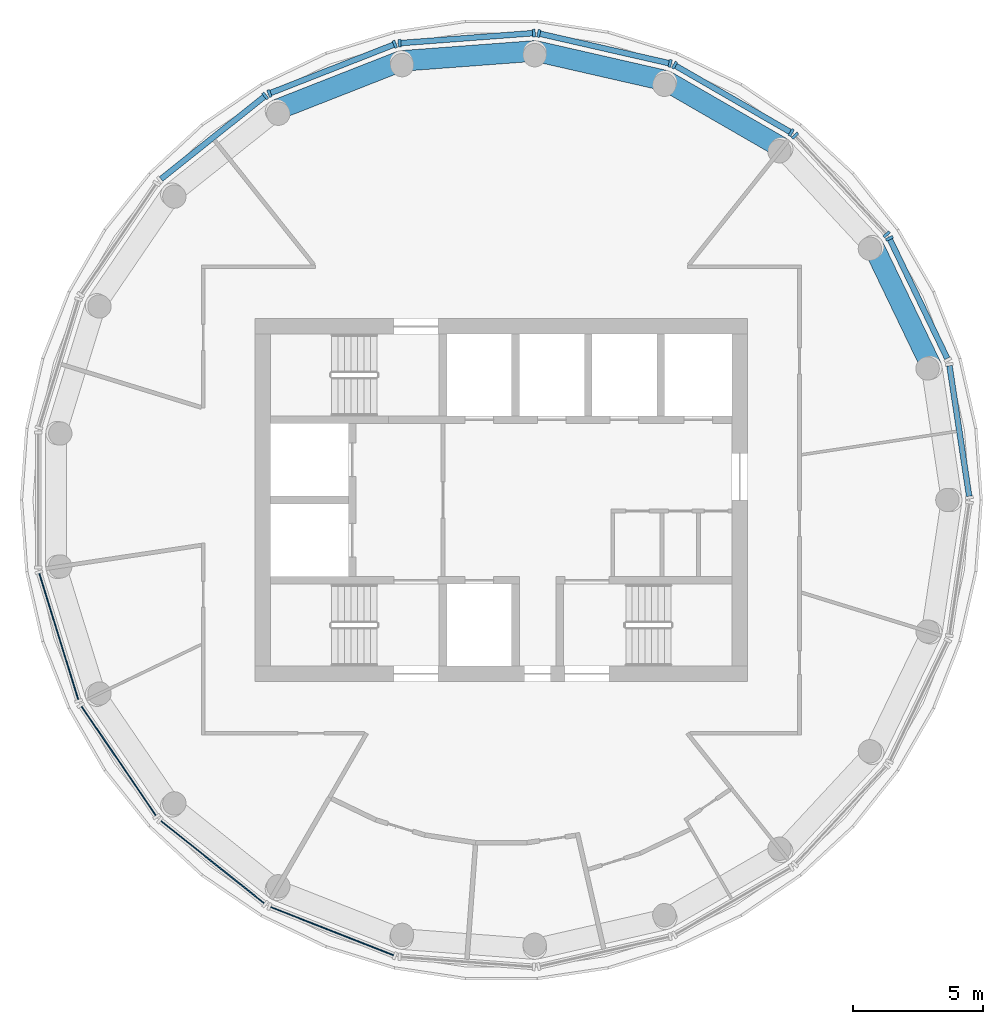
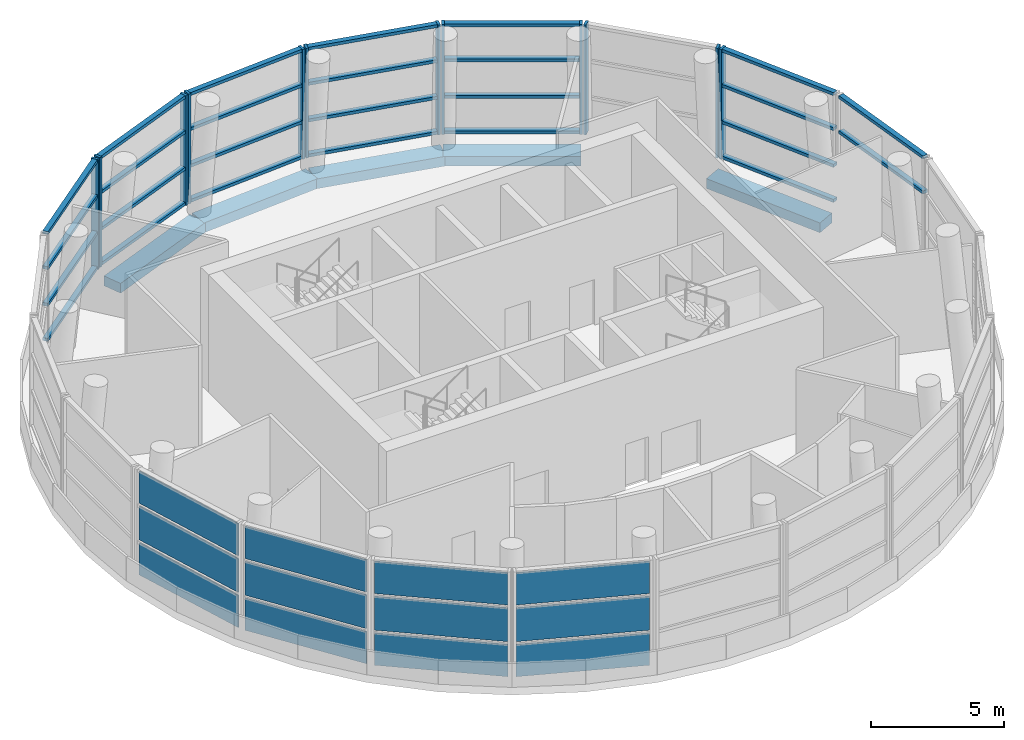
# One storey, part 3 of 11: 38 members, 12 plates, 5 beams, 12 elements without a shape of their own.
"""IFC4 building model written with IfcOpenShell, lengths in metres."""

from ifc_helpers import new_model, si_unit, direction, frame, origin, origin_2d, place, context, subcontext, project, spatial, rectangle, extrude, material, layer, layer_set, material_profile, profile_set, type_object, element, aggregate, save


model = new_model("IFC4")

# Units and contexts
model_context = context("Model", 3, precision=1e-05, world=origin(), true_north=direction((0.0, 1.0)))
body_context = subcontext(model_context, "Body", "Model", "MODEL_VIEW")
ifc_project = project(units=[si_unit("LENGTHUNIT", "METRE"), si_unit("AREAUNIT", "SQUARE_METRE"), si_unit("VOLUMEUNIT", "CUBIC_METRE"), si_unit("PLANEANGLEUNIT", "RADIAN"), si_unit("MASSUNIT", "GRAM", prefix="KILO")], contexts=[model_context])

# Site, building, storey
site_placement = place(None, origin())
site = spatial("IfcSite", under=ifc_project, at=site_placement, CompositionType="ELEMENT")
building_placement = place(site_placement, origin())
building = spatial("IfcBuilding", under=site, at=building_placement, Name="Tracery Tower", CompositionType="ELEMENT")
storey_placement = place(building_placement, frame((0.0, 0.0, 346.800048828125)))
storey = spatial("IfcBuildingStorey", under=building, at=storey_placement, Name="L89", CompositionType="ELEMENT", Elevation=346.800048828125)

# Curtain wall, member
ifc_material_1 = material(Name="Aluminium curtain wall with tinted glass", Category="aluminium")
curtain_wall_type = type_object("IfcCurtainWallType", Name="Observation lower deck glazing curtain wall", PredefinedType="NOTDEFINED", material=ifc_material_1)
curtain_wall_1_placement = place(storey_placement, origin())
curtain_wall_1 = element("IfcCurtainWall", 1, at=curtain_wall_1_placement, inside=storey, type_object=curtain_wall_type, Name="Observation lower deck glazing run 01", PredefinedType="NOTDEFINED")
ifc_material_2 = material(Name="Aluminium, bronze anodised", Category="aluminium")
ifc_material_profile_1 = material_profile(ifc_material_2, rectangle(XDim=0.300048828125, YDim=0.110107421875, at=origin_2d()), Name="Observation lower deck glazing mullion 110 x 300")
ifc_profile_set_1 = profile_set([ifc_material_profile_1], Name="Aluminium, bronze anodised")
member_type_1 = type_object("IfcMemberType", Name="Observation lower deck glazing mullion 110 x 300", PredefinedType="MULLION", material=ifc_profile_set_1)
member_1_placement = place(storey_placement, frame((14.97314453125, 10.0947265625, 0.0), z_axis=(0.0, 0.0, 1.0), x_axis=(-0.900972480134, -0.433876238161, 0.0)))
member_1 = element("IfcMember", 2, at=member_1_placement, type_object=member_type_1, Name="CWB4 mullion 2", PredefinedType="MULLION", context=body_context, shape_type="SweptSolid", body=[
    extrude(rectangle(XDim=0.300048828125, YDim=0.110107421875, at=origin_2d()), origin(), (0.0, 0.0, 1.0), 5.050048828125),
])

# Curtain wall, members
curtain_wall_2_placement = place(storey_placement, origin())
curtain_wall_2 = element("IfcCurtainWall", 3, at=curtain_wall_2_placement, inside=storey, type_object=curtain_wall_type, Name="Observation lower deck glazing run 02", PredefinedType="NOTDEFINED")
member_2_placement = place(storey_placement, frame((14.8671875, 10.25, 0.0), z_axis=(0.0, 0.0, 1.0), x_axis=(-0.733049136784, -0.680175685438, 0.0)))
member_2 = element("IfcMember", 4, at=member_2_placement, type_object=member_type_1, Name="CWB4 mullion 1", PredefinedType="MULLION", context=body_context, shape_type="SweptSolid", body=[
    extrude(rectangle(XDim=0.300048828125, YDim=0.110107421875, at=origin_2d()), origin(), (0.0, 0.0, 1.0), 5.050048828125),
])
member_3_placement = place(storey_placement, frame((11.33251953125, 14.059814453125, 0.0), z_axis=(0.0, 0.0, 1.0), x_axis=(-0.733049136784, -0.680175685438, 0.0)))
member_3 = element("IfcMember", 5, at=member_3_placement, type_object=member_type_1, Name="CWB4 mullion 2", PredefinedType="MULLION", context=body_context, shape_type="SweptSolid", body=[
    extrude(rectangle(XDim=0.300048828125, YDim=0.110107421875, at=origin_2d()), origin(), (0.0, 0.0, 1.0), 5.050048828125),
])
aggregate(curtain_wall_2, [member_2, member_3])

curtain_wall_3_placement = place(storey_placement, origin())
curtain_wall_3 = element("IfcCurtainWall", 6, at=curtain_wall_3_placement, inside=storey, type_object=curtain_wall_type, Name="Observation lower deck glazing run 03", PredefinedType="NOTDEFINED")
member_4_placement = place(storey_placement, frame((11.185546875, 14.177001953125, 0.0), z_axis=(0.0, 0.0, 1.0), x_axis=(-0.49999974037, -0.866025553682, 0.0)))
member_4 = element("IfcMember", 7, at=member_4_placement, type_object=member_type_1, Name="CWB4 mullion 1", PredefinedType="MULLION", context=body_context, shape_type="SweptSolid", body=[
    extrude(rectangle(XDim=0.300048828125, YDim=0.110107421875, at=origin_2d()), origin(), (0.0, 0.0, 1.0), 5.050048828125),
])
member_5_placement = place(storey_placement, frame((6.684814453125, 16.775390625, 0.0), z_axis=(0.0, 0.0, 1.0), x_axis=(-0.49999974037, -0.866025553682, 0.0)))
member_5 = element("IfcMember", 8, at=member_5_placement, type_object=member_type_1, Name="CWB4 mullion 2", PredefinedType="MULLION", context=body_context, shape_type="SweptSolid", body=[
    extrude(rectangle(XDim=0.300048828125, YDim=0.110107421875, at=origin_2d()), origin(), (0.0, 0.0, 1.0), 5.050048828125),
])

curtain_wall_4_placement = place(storey_placement, origin())
curtain_wall_4 = element("IfcCurtainWall", 9, at=curtain_wall_4_placement, inside=storey, type_object=curtain_wall_type, Name="Observation lower deck glazing run 04", PredefinedType="NOTDEFINED")
member_6_placement = place(storey_placement, frame((6.509765625, 16.843994140625, 0.0), z_axis=(0.0, 0.0, 1.0), x_axis=(-0.222533159769, -0.974925121639, 0.0)))
member_6 = element("IfcMember", 10, at=member_6_placement, type_object=member_type_1, Name="CWB4 mullion 1", PredefinedType="MULLION", context=body_context, shape_type="SweptSolid", body=[
    extrude(rectangle(XDim=0.300048828125, YDim=0.110107421875, at=origin_2d()), origin(), (0.0, 0.0, 1.0), 5.050048828125),
])
member_7_placement = place(storey_placement, frame((1.443115234375, 18.00048828125, 0.0), z_axis=(0.0, 0.0, 1.0), x_axis=(-0.222533159769, -0.974925121639, 0.0)))
member_7 = element("IfcMember", 11, at=member_7_placement, type_object=member_type_1, Name="CWB4 mullion 2", PredefinedType="MULLION", context=body_context, shape_type="SweptSolid", body=[
    extrude(rectangle(XDim=0.300048828125, YDim=0.110107421875, at=origin_2d()), origin(), (0.0, 0.0, 1.0), 5.050048828125),
])

curtain_wall_5_placement = place(storey_placement, origin())
curtain_wall_5 = element("IfcCurtainWall", 12, at=curtain_wall_5_placement, inside=storey, type_object=curtain_wall_type, Name="Observation lower deck glazing run 05", PredefinedType="NOTDEFINED")
member_8_placement = place(storey_placement, frame((1.255859375, 18.0146484375, 0.0), z_axis=(0.0, 0.0, 1.0), x_axis=(0.074730924986, -0.997203734876, 0.0)))
member_8 = element("IfcMember", 13, at=member_8_placement, type_object=member_type_1, Name="CWB4 mullion 1", PredefinedType="MULLION", context=body_context, shape_type="SweptSolid", body=[
    extrude(rectangle(XDim=0.300048828125, YDim=0.110107421875, at=origin_2d()), origin(), (0.0, 0.0, 1.0), 5.050048828125),
])
member_9_placement = place(storey_placement, frame((-3.9267578125, 17.626220703125, 0.0), z_axis=(0.0, 0.0, 1.0), x_axis=(0.074730924986, -0.997203734876, 0.0)))
member_9 = element("IfcMember", 14, at=member_9_placement, type_object=member_type_1, Name="CWB4 mullion 2", PredefinedType="MULLION", context=body_context, shape_type="SweptSolid", body=[
    extrude(rectangle(XDim=0.300048828125, YDim=0.110107421875, at=origin_2d()), origin(), (0.0, 0.0, 1.0), 5.050048828125),
])

curtain_wall_6_placement = place(storey_placement, origin())
curtain_wall_6 = element("IfcCurtainWall", 15, at=curtain_wall_6_placement, inside=storey, type_object=curtain_wall_type, Name="Observation lower deck glazing run 06", PredefinedType="NOTDEFINED")
member_10_placement = place(storey_placement, frame((-4.10986328125, 17.58447265625, 0.0), z_axis=(0.0, 0.0, 1.0), x_axis=(0.365343371728, -0.930872827369, 0.0)))
member_10 = element("IfcMember", 16, at=member_10_placement, type_object=member_type_1, Name="CWB4 mullion 1", PredefinedType="MULLION", context=body_context, shape_type="SweptSolid", body=[
    extrude(rectangle(XDim=0.300048828125, YDim=0.110107421875, at=origin_2d()), origin(), (0.0, 0.0, 1.0), 5.050048828125),
])
member_11_placement = place(storey_placement, frame((-8.94775390625, 15.685791015625, 0.0), z_axis=(0.0, 0.0, 1.0), x_axis=(0.365343371728, -0.930872827369, 0.0)))
member_11 = element("IfcMember", 17, at=member_11_placement, type_object=member_type_1, Name="CWB4 mullion 2", PredefinedType="MULLION", context=body_context, shape_type="SweptSolid", body=[
    extrude(rectangle(XDim=0.300048828125, YDim=0.110107421875, at=origin_2d()), origin(), (0.0, 0.0, 1.0), 5.050048828125),
])

# Curtain wall, member
curtain_wall_7_placement = place(storey_placement, origin())
curtain_wall_7 = element("IfcCurtainWall", 18, at=curtain_wall_7_placement, inside=storey, type_object=curtain_wall_type, Name="Observation lower deck glazing run 07", PredefinedType="NOTDEFINED")
member_12_placement = place(storey_placement, frame((-9.1103515625, 15.591796875, 0.0), z_axis=(0.0, 0.0, 1.0), x_axis=(0.623480980699, -0.781838517027, 0.0)))
member_12 = element("IfcMember", 19, at=member_12_placement, type_object=member_type_1, Name="CWB4 mullion 1", PredefinedType="MULLION", context=body_context, shape_type="SweptSolid", body=[
    extrude(rectangle(XDim=0.300048828125, YDim=0.110107421875, at=origin_2d()), origin(), (0.0, 0.0, 1.0), 5.050048828125),
])

# Curtain wall, members
curtain_wall_8_placement = place(storey_placement, origin())
curtain_wall_8 = element("IfcCurtainWall", 20, at=curtain_wall_8_placement, inside=storey, type_object=curtain_wall_type, Name="Observation lower deck glazing run 00", PredefinedType="NOTDEFINED")
ifc_material_3 = material(Name="Aluminium, bronze anodised", Category="aluminium")
ifc_material_profile_2 = material_profile(ifc_material_3, rectangle(XDim=0.219970703125, YDim=0.139892578125, at=origin_2d()), Name="Observation lower deck glazing transom 140 x 220")
ifc_profile_set_2 = profile_set([ifc_material_profile_2], Name="Aluminium, bronze anodised")
member_type_2 = type_object("IfcMemberType", Name="Observation lower deck glazing transom 140 x 220", PredefinedType="USERDEFINED", material=ifc_profile_set_2)
member_13_placement = place(storey_placement, frame((18.0498046875, 0.1484375, 3.36669921875), z_axis=(-0.149023373143, 0.988833673707, 0.0), x_axis=(-0.988833673707, -0.149023373143, 0.0)))
member_13 = element("IfcMember", 21, at=member_13_placement, type_object=member_type_2, Name="CWB4 transom 1.3", ObjectType="TRANSOM", PredefinedType="USERDEFINED", context=body_context, shape_type="SweptSolid", body=[
    extrude(rectangle(XDim=0.219970703125, YDim=0.139892578125, at=origin_2d()), origin(), (0.0, 0.0, 1.0), 5.0869140625),
])
member_14_placement = place(storey_placement, frame((18.0498046875, 0.1484375, 4.97998046875), z_axis=(-0.149023373143, 0.988833673707, 0.0), x_axis=(-0.988833673707, -0.149023373143, 0.0)))
member_14 = element("IfcMember", 22, at=member_14_placement, type_object=member_type_2, Name="CWB4 transom 1.4", ObjectType="TRANSOM", PredefinedType="USERDEFINED", context=body_context, shape_type="SweptSolid", body=[
    extrude(rectangle(XDim=0.219970703125, YDim=0.139892578125, at=origin_2d()), origin(), (0.0, 0.0, 1.0), 5.0869140625),
])
aggregate(curtain_wall_8, [member_13, member_14])

# Member
member_15_placement = place(storey_placement, frame((17.2041015625, 5.4619140625, 0.070068359375), z_axis=(-0.433841591627, 0.90098916385, 0.0), x_axis=(-0.90098916385, -0.433841591627, 0.0)))
member_15 = element("IfcMember", 23, at=member_15_placement, type_object=member_type_2, Name="CWB4 transom 1.1", ObjectType="TRANSOM", PredefinedType="USERDEFINED", context=body_context, shape_type="SweptSolid", body=[
    extrude(rectangle(XDim=0.219970703125, YDim=0.139892578125, at=origin_2d()), origin(), (0.0, 0.0, 1.0), 5.087158203125),
])

member_16_placement = place(storey_placement, frame((17.2041015625, 5.4619140625, 1.683349609375), z_axis=(-0.433841591627, 0.90098916385, 0.0), x_axis=(-0.90098916385, -0.433841591627, 0.0)))
member_16 = element("IfcMember", 24, at=member_16_placement, type_object=member_type_2, Name="CWB4 transom 1.2", ObjectType="TRANSOM", PredefinedType="USERDEFINED", context=body_context, shape_type="SweptSolid", body=[
    extrude(rectangle(XDim=0.219970703125, YDim=0.139892578125, at=origin_2d()), origin(), (0.0, 0.0, 1.0), 5.087158203125),
])

member_17_placement = place(storey_placement, frame((17.2041015625, 5.4619140625, 3.36669921875), z_axis=(-0.433841591627, 0.90098916385, 0.0), x_axis=(-0.90098916385, -0.433841591627, 0.0)))
member_17 = element("IfcMember", 25, at=member_17_placement, type_object=member_type_2, Name="CWB4 transom 1.3", ObjectType="TRANSOM", PredefinedType="USERDEFINED", context=body_context, shape_type="SweptSolid", body=[
    extrude(rectangle(XDim=0.219970703125, YDim=0.139892578125, at=origin_2d()), origin(), (0.0, 0.0, 1.0), 5.087158203125),
])

member_18_placement = place(storey_placement, frame((17.2041015625, 5.4619140625, 4.97998046875), z_axis=(-0.433841591627, 0.90098916385, 0.0), x_axis=(-0.90098916385, -0.433841591627, 0.0)))
member_18 = element("IfcMember", 26, at=member_18_placement, type_object=member_type_2, Name="CWB4 transom 1.4", ObjectType="TRANSOM", PredefinedType="USERDEFINED", context=body_context, shape_type="SweptSolid", body=[
    extrude(rectangle(XDim=0.219970703125, YDim=0.139892578125, at=origin_2d()), origin(), (0.0, 0.0, 1.0), 5.087158203125),
])

aggregate(curtain_wall_1, [member_1, member_15, member_16, member_17, member_18])

member_19_placement = place(storey_placement, frame((11.137939453125, 14.204345703125, 0.070068359375), z_axis=(-0.866031339083, 0.499989719621, 0.0), x_axis=(-0.499989719621, -0.866031339083, 0.0)))
member_19 = element("IfcMember", 27, at=member_19_placement, type_object=member_type_2, Name="CWB4 transom 1.1", ObjectType="TRANSOM", PredefinedType="USERDEFINED", context=body_context, shape_type="SweptSolid", body=[
    extrude(rectangle(XDim=0.219970703125, YDim=0.139892578125, at=origin_2d()), origin(), (0.0, 0.0, 1.0), 5.0869140625),
])

member_20_placement = place(storey_placement, frame((11.137939453125, 14.204345703125, 1.683349609375), z_axis=(-0.866031339083, 0.499989719621, 0.0), x_axis=(-0.499989719621, -0.866031339083, 0.0)))
member_20 = element("IfcMember", 28, at=member_20_placement, type_object=member_type_2, Name="CWB4 transom 1.2", ObjectType="TRANSOM", PredefinedType="USERDEFINED", context=body_context, shape_type="SweptSolid", body=[
    extrude(rectangle(XDim=0.219970703125, YDim=0.139892578125, at=origin_2d()), origin(), (0.0, 0.0, 1.0), 5.0869140625),
])

member_21_placement = place(storey_placement, frame((11.137939453125, 14.204345703125, 3.36669921875), z_axis=(-0.866031339083, 0.499989719621, 0.0), x_axis=(-0.499989719621, -0.866031339083, 0.0)))
member_21 = element("IfcMember", 29, at=member_21_placement, type_object=member_type_2, Name="CWB4 transom 1.3", ObjectType="TRANSOM", PredefinedType="USERDEFINED", context=body_context, shape_type="SweptSolid", body=[
    extrude(rectangle(XDim=0.219970703125, YDim=0.139892578125, at=origin_2d()), origin(), (0.0, 0.0, 1.0), 5.0869140625),
])

member_22_placement = place(storey_placement, frame((11.137939453125, 14.204345703125, 4.97998046875), z_axis=(-0.866031339083, 0.499989719621, 0.0), x_axis=(-0.499989719621, -0.866031339083, 0.0)))
member_22 = element("IfcMember", 30, at=member_22_placement, type_object=member_type_2, Name="CWB4 transom 1.4", ObjectType="TRANSOM", PredefinedType="USERDEFINED", context=body_context, shape_type="SweptSolid", body=[
    extrude(rectangle(XDim=0.219970703125, YDim=0.139892578125, at=origin_2d()), origin(), (0.0, 0.0, 1.0), 5.0869140625),
])

aggregate(curtain_wall_3, [member_4, member_5, member_19, member_20, member_21, member_22])

member_23_placement = place(storey_placement, frame((6.456298828125, 16.856201171875, 0.070068359375), z_axis=(-0.974923101148, 0.222542011422, 0.0), x_axis=(-0.222542011422, -0.974923101148, 0.0)))
member_23 = element("IfcMember", 31, at=member_23_placement, type_object=member_type_2, Name="CWB4 transom 1.1", ObjectType="TRANSOM", PredefinedType="USERDEFINED", context=body_context, shape_type="SweptSolid", body=[
    extrude(rectangle(XDim=0.219970703125, YDim=0.139892578125, at=origin_2d()), origin(), (0.0, 0.0, 1.0), 5.087158203125),
])

member_24_placement = place(storey_placement, frame((6.456298828125, 16.856201171875, 1.683349609375), z_axis=(-0.974923101148, 0.222542011422, 0.0), x_axis=(-0.222542011422, -0.974923101148, 0.0)))
member_24 = element("IfcMember", 32, at=member_24_placement, type_object=member_type_2, Name="CWB4 transom 1.2", ObjectType="TRANSOM", PredefinedType="USERDEFINED", context=body_context, shape_type="SweptSolid", body=[
    extrude(rectangle(XDim=0.219970703125, YDim=0.139892578125, at=origin_2d()), origin(), (0.0, 0.0, 1.0), 5.087158203125),
])

member_25_placement = place(storey_placement, frame((6.456298828125, 16.856201171875, 3.36669921875), z_axis=(-0.974923101148, 0.222542011422, 0.0), x_axis=(-0.222542011422, -0.974923101148, 0.0)))
member_25 = element("IfcMember", 33, at=member_25_placement, type_object=member_type_2, Name="CWB4 transom 1.3", ObjectType="TRANSOM", PredefinedType="USERDEFINED", context=body_context, shape_type="SweptSolid", body=[
    extrude(rectangle(XDim=0.219970703125, YDim=0.139892578125, at=origin_2d()), origin(), (0.0, 0.0, 1.0), 5.087158203125),
])

member_26_placement = place(storey_placement, frame((6.456298828125, 16.856201171875, 4.97998046875), z_axis=(-0.974923101148, 0.222542011422, 0.0), x_axis=(-0.222542011422, -0.974923101148, 0.0)))
member_26 = element("IfcMember", 34, at=member_26_placement, type_object=member_type_2, Name="CWB4 transom 1.4", ObjectType="TRANSOM", PredefinedType="USERDEFINED", context=body_context, shape_type="SweptSolid", body=[
    extrude(rectangle(XDim=0.219970703125, YDim=0.139892578125, at=origin_2d()), origin(), (0.0, 0.0, 1.0), 5.087158203125),
])

aggregate(curtain_wall_4, [member_6, member_7, member_23, member_24, member_25, member_26])

member_27_placement = place(storey_placement, frame((1.200927734375, 18.010498046875, 0.070068359375), z_axis=(-0.997204139945, -0.074725519583, 0.0), x_axis=(0.074725519583, -0.997204139945, 0.0)))
member_27 = element("IfcMember", 35, at=member_27_placement, type_object=member_type_2, Name="CWB4 transom 1.1", ObjectType="TRANSOM", PredefinedType="USERDEFINED", context=body_context, shape_type="SweptSolid", body=[
    extrude(rectangle(XDim=0.219970703125, YDim=0.139892578125, at=origin_2d()), origin(), (0.0, 0.0, 1.0), 5.0869140625),
])

member_28_placement = place(storey_placement, frame((1.200927734375, 18.010498046875, 1.683349609375), z_axis=(-0.997204139945, -0.074725519583, 0.0), x_axis=(0.074725519583, -0.997204139945, 0.0)))
member_28 = element("IfcMember", 36, at=member_28_placement, type_object=member_type_2, Name="CWB4 transom 1.2", ObjectType="TRANSOM", PredefinedType="USERDEFINED", context=body_context, shape_type="SweptSolid", body=[
    extrude(rectangle(XDim=0.219970703125, YDim=0.139892578125, at=origin_2d()), origin(), (0.0, 0.0, 1.0), 5.0869140625),
])

member_29_placement = place(storey_placement, frame((1.200927734375, 18.010498046875, 3.36669921875), z_axis=(-0.997204139945, -0.074725519583, 0.0), x_axis=(0.074725519583, -0.997204139945, 0.0)))
member_29 = element("IfcMember", 37, at=member_29_placement, type_object=member_type_2, Name="CWB4 transom 1.3", ObjectType="TRANSOM", PredefinedType="USERDEFINED", context=body_context, shape_type="SweptSolid", body=[
    extrude(rectangle(XDim=0.219970703125, YDim=0.139892578125, at=origin_2d()), origin(), (0.0, 0.0, 1.0), 5.0869140625),
])

member_30_placement = place(storey_placement, frame((1.200927734375, 18.010498046875, 4.97998046875), z_axis=(-0.997204139945, -0.074725519583, 0.0), x_axis=(0.074725519583, -0.997204139945, 0.0)))
member_30 = element("IfcMember", 38, at=member_30_placement, type_object=member_type_2, Name="CWB4 transom 1.4", ObjectType="TRANSOM", PredefinedType="USERDEFINED", context=body_context, shape_type="SweptSolid", body=[
    extrude(rectangle(XDim=0.219970703125, YDim=0.139892578125, at=origin_2d()), origin(), (0.0, 0.0, 1.0), 5.0869140625),
])

aggregate(curtain_wall_5, [member_8, member_9, member_27, member_28, member_29, member_30])

member_31_placement = place(storey_placement, frame((-4.1611328125, 17.564208984375, 0.070068359375), z_axis=(-0.930879772026, -0.365325676668, 0.0), x_axis=(0.365325676668, -0.930879772026, 0.0)))
member_31 = element("IfcMember", 39, at=member_31_placement, type_object=member_type_2, Name="CWB4 transom 1.1", ObjectType="TRANSOM", PredefinedType="USERDEFINED", context=body_context, shape_type="SweptSolid", body=[
    extrude(rectangle(XDim=0.219970703125, YDim=0.139892578125, at=origin_2d()), origin(), (0.0, 0.0, 1.0), 5.0869140625),
])

member_32_placement = place(storey_placement, frame((-4.1611328125, 17.564208984375, 1.683349609375), z_axis=(-0.930879772026, -0.365325676668, 0.0), x_axis=(0.365325676668, -0.930879772026, 0.0)))
member_32 = element("IfcMember", 40, at=member_32_placement, type_object=member_type_2, Name="CWB4 transom 1.2", ObjectType="TRANSOM", PredefinedType="USERDEFINED", context=body_context, shape_type="SweptSolid", body=[
    extrude(rectangle(XDim=0.219970703125, YDim=0.139892578125, at=origin_2d()), origin(), (0.0, 0.0, 1.0), 5.0869140625),
])

member_33_placement = place(storey_placement, frame((-4.1611328125, 17.564208984375, 3.36669921875), z_axis=(-0.930879772026, -0.365325676668, 0.0), x_axis=(0.365325676668, -0.930879772026, 0.0)))
member_33 = element("IfcMember", 41, at=member_33_placement, type_object=member_type_2, Name="CWB4 transom 1.3", ObjectType="TRANSOM", PredefinedType="USERDEFINED", context=body_context, shape_type="SweptSolid", body=[
    extrude(rectangle(XDim=0.219970703125, YDim=0.139892578125, at=origin_2d()), origin(), (0.0, 0.0, 1.0), 5.0869140625),
])

member_34_placement = place(storey_placement, frame((-4.1611328125, 17.564208984375, 4.97998046875), z_axis=(-0.930879772026, -0.365325676668, 0.0), x_axis=(0.365325676668, -0.930879772026, 0.0)))
member_34 = element("IfcMember", 42, at=member_34_placement, type_object=member_type_2, Name="CWB4 transom 1.4", ObjectType="TRANSOM", PredefinedType="USERDEFINED", context=body_context, shape_type="SweptSolid", body=[
    extrude(rectangle(XDim=0.219970703125, YDim=0.139892578125, at=origin_2d()), origin(), (0.0, 0.0, 1.0), 5.0869140625),
])

aggregate(curtain_wall_6, [member_10, member_11, member_31, member_32, member_33, member_34])

member_35_placement = place(storey_placement, frame((-9.1533203125, 15.557373046875, 0.070068359375), z_axis=(-0.781846430905, -0.62347105665, 0.0), x_axis=(0.62347105665, -0.781846430905, 0.0)))
member_35 = element("IfcMember", 43, at=member_35_placement, type_object=member_type_2, Name="CWB4 transom 1.1", ObjectType="TRANSOM", PredefinedType="USERDEFINED", context=body_context, shape_type="SweptSolid", body=[
    extrude(rectangle(XDim=0.219970703125, YDim=0.139892578125, at=origin_2d()), origin(), (0.0, 0.0, 1.0), 5.087158203125),
])

member_36_placement = place(storey_placement, frame((-9.1533203125, 15.557373046875, 1.683349609375), z_axis=(-0.781846430905, -0.62347105665, 0.0), x_axis=(0.62347105665, -0.781846430905, 0.0)))
member_36 = element("IfcMember", 44, at=member_36_placement, type_object=member_type_2, Name="CWB4 transom 1.2", ObjectType="TRANSOM", PredefinedType="USERDEFINED", context=body_context, shape_type="SweptSolid", body=[
    extrude(rectangle(XDim=0.219970703125, YDim=0.139892578125, at=origin_2d()), origin(), (0.0, 0.0, 1.0), 5.087158203125),
])

member_37_placement = place(storey_placement, frame((-9.1533203125, 15.557373046875, 3.36669921875), z_axis=(-0.781846430905, -0.62347105665, 0.0), x_axis=(0.62347105665, -0.781846430905, 0.0)))
member_37 = element("IfcMember", 45, at=member_37_placement, type_object=member_type_2, Name="CWB4 transom 1.3", ObjectType="TRANSOM", PredefinedType="USERDEFINED", context=body_context, shape_type="SweptSolid", body=[
    extrude(rectangle(XDim=0.219970703125, YDim=0.139892578125, at=origin_2d()), origin(), (0.0, 0.0, 1.0), 5.087158203125),
])

member_38_placement = place(storey_placement, frame((-9.1533203125, 15.557373046875, 4.97998046875), z_axis=(-0.781846430905, -0.62347105665, 0.0), x_axis=(0.62347105665, -0.781846430905, 0.0)))
member_38 = element("IfcMember", 46, at=member_38_placement, type_object=member_type_2, Name="CWB4 transom 1.4", ObjectType="TRANSOM", PredefinedType="USERDEFINED", context=body_context, shape_type="SweptSolid", body=[
    extrude(rectangle(XDim=0.219970703125, YDim=0.139892578125, at=origin_2d()), origin(), (0.0, 0.0, 1.0), 5.087158203125),
])

aggregate(curtain_wall_7, [member_12, member_35, member_36, member_37, member_38])

# Beams
ifc_material_4 = material(Name="Concrete C40/50", Category="concrete")
ifc_material_profile_3 = material_profile(ifc_material_4, rectangle(XDim=0.800048828125, YDim=0.449951171875, at=origin_2d()), Name="RC 800x450")
ifc_profile_set_3 = profile_set([ifc_material_profile_3], Name="Concrete C40/50")
beam_type = type_object("IfcBeamType", Name="Perimeter band beam 800x450", PredefinedType="BEAM", material=ifc_profile_set_3)
beam_1_placement = place(storey_placement, frame((16.603515625, 5.12158203125, -0.574951171875), z_axis=(-0.433909158378, 0.90095662619, 0.0), x_axis=(-0.90095662619, -0.433909158378, 0.0)))
element("IfcBeam", 47, at=beam_1_placement, inside=storey, type_object=beam_type, Name="Perimeter beam 2.01 under L89", PredefinedType="BEAM", context=body_context, shape_type="SweptSolid", body=[
    extrude(rectangle(XDim=0.800048828125, YDim=0.449951171875, at=origin_2d()), origin(), (0.0, 0.0, 1.0), 5.17919921875),
])
beam_2_placement = place(storey_placement, frame((10.83349609375, 13.584716796875, -0.574951171875), z_axis=(-0.866038803013, 0.499976791137, 0.0), x_axis=(-0.499976791137, -0.866038803013, 0.0)))
element("IfcBeam", 48, at=beam_2_placement, inside=storey, type_object=beam_type, Name="Perimeter beam 2.03 under L89", PredefinedType="BEAM", context=body_context, shape_type="SweptSolid", body=[
    extrude(rectangle(XDim=0.800048828125, YDim=0.449951171875, at=origin_2d()), origin(), (0.0, 0.0, 1.0), 5.179443359375),
])
beam_3_placement = place(storey_placement, frame((6.347900390625, 16.17431640625, -0.574951171875), z_axis=(-0.974923121287, 0.222541923199, 0.0), x_axis=(-0.222541923199, -0.974923121287, 0.0)))
element("IfcBeam", 49, at=beam_3_placement, inside=storey, type_object=beam_type, Name="Perimeter beam 2.04 under L89", PredefinedType="BEAM", context=body_context, shape_type="SweptSolid", body=[
    extrude(rectangle(XDim=0.800048828125, YDim=0.449951171875, at=origin_2d()), origin(), (0.0, 0.0, 1.0), 5.17919921875),
])
beam_4_placement = place(storey_placement, frame((1.298583984375, 17.326904296875, -0.574951171875), z_axis=(-0.997201770128, -0.074757137806, 0.0), x_axis=(0.074757137806, -0.997201770128, 0.0)))
element("IfcBeam", 50, at=beam_4_placement, inside=storey, type_object=beam_type, Name="Perimeter beam 2.05 under L89", PredefinedType="BEAM", context=body_context, shape_type="SweptSolid", body=[
    extrude(rectangle(XDim=0.800048828125, YDim=0.449951171875, at=origin_2d()), origin(), (0.0, 0.0, 1.0), 5.179443359375),
])
beam_5_placement = place(storey_placement, frame((-3.866455078125, 16.939697265625, -0.574951171875), z_axis=(-0.93088206632, -0.365319830564, 0.0), x_axis=(0.365319830564, -0.93088206632, 0.0)))
element("IfcBeam", 51, at=beam_5_placement, inside=storey, type_object=beam_type, Name="Perimeter beam 2.06 under L89", PredefinedType="BEAM", context=body_context, shape_type="SweptSolid", body=[
    extrude(rectangle(XDim=0.800048828125, YDim=0.449951171875, at=origin_2d()), origin(), (0.0, 0.0, 1.0), 5.17919921875),
])

# Curtain wall, plates
curtain_wall_9_placement = place(storey_placement, origin())
curtain_wall_9 = element("IfcCurtainWall", 52, at=curtain_wall_9_placement, inside=storey, type_object=curtain_wall_type, Name="Observation lower deck glazing run 11", PredefinedType="NOTDEFINED")
ifc_material_5 = material(Name="Tinted laminated glass", Category="glass")
ifc_layer = layer(ifc_material_5, 0.0439453125)
ifc_layer_set = layer_set([ifc_layer], Name="Observation lower deck glazing glass panel 44")
plate_type = type_object("IfcPlateType", Name="Observation lower deck glazing glass panel 44", PredefinedType="CURTAIN_PANEL", material=ifc_layer_set)
plate_1_placement = place(storey_placement, frame((-17.076416015625, -5.267333984375, 0.14013671875), z_axis=(0.0, 0.0, 1.0), x_axis=(0.29475708735, -0.95557221572, 0.0)))
plate_1 = element("IfcPlate", 53, at=plate_1_placement, type_object=plate_type, Name="CWB4 panel 1.1", PredefinedType="CURTAIN_PANEL", context=body_context, shape_type="SweptSolid", body=[
    extrude(rectangle(XDim=5.087158203125, YDim=0.0439453125, at=origin_2d()), origin(), (0.0, 0.0, 1.0), 1.473388671875),
])
plate_2_placement = place(storey_placement, frame((-17.076416015625, -5.267333984375, 1.753173828125), z_axis=(0.0, 0.0, 1.0), x_axis=(0.29475708735, -0.95557221572, 0.0)))
plate_2 = element("IfcPlate", 54, at=plate_2_placement, type_object=plate_type, Name="CWB4 panel 1.2", PredefinedType="CURTAIN_PANEL", context=body_context, shape_type="SweptSolid", body=[
    extrude(rectangle(XDim=5.087158203125, YDim=0.0439453125, at=origin_2d()), origin(), (0.0, 0.0, 1.0), 1.54345703125),
])
plate_3_placement = place(storey_placement, frame((-17.076416015625, -5.267333984375, 3.4365234375), z_axis=(0.0, 0.0, 1.0), x_axis=(0.29475708735, -0.95557221572, 0.0)))
plate_3 = element("IfcPlate", 55, at=plate_3_placement, type_object=plate_type, Name="CWB4 panel 1.3", PredefinedType="CURTAIN_PANEL", context=body_context, shape_type="SweptSolid", body=[
    extrude(rectangle(XDim=5.087158203125, YDim=0.0439453125, at=origin_2d()), origin(), (0.0, 0.0, 1.0), 1.473388671875),
])
aggregate(curtain_wall_9, [plate_1, plate_2, plate_3])

curtain_wall_10_placement = place(storey_placement, origin())
curtain_wall_10 = element("IfcCurtainWall", 56, at=curtain_wall_10_placement, inside=storey, type_object=curtain_wall_type, Name="Observation lower deck glazing run 12", PredefinedType="NOTDEFINED")
plate_4_placement = place(storey_placement, frame((-14.76513671875, -10.066650390625, 0.14013671875), z_axis=(0.0, 0.0, 1.0), x_axis=(0.563323376832, -0.826236511609, 0.0)))
plate_4 = element("IfcPlate", 57, at=plate_4_placement, type_object=plate_type, Name="CWB4 panel 1.1", PredefinedType="CURTAIN_PANEL", context=body_context, shape_type="SweptSolid", body=[
    extrude(rectangle(XDim=5.087158203125, YDim=0.0439453125, at=origin_2d()), origin(), (0.0, 0.0, 1.0), 1.473388671875),
])
plate_5_placement = place(storey_placement, frame((-14.76513671875, -10.066650390625, 1.753173828125), z_axis=(0.0, 0.0, 1.0), x_axis=(0.563323376832, -0.826236511609, 0.0)))
plate_5 = element("IfcPlate", 58, at=plate_5_placement, type_object=plate_type, Name="CWB4 panel 1.2", PredefinedType="CURTAIN_PANEL", context=body_context, shape_type="SweptSolid", body=[
    extrude(rectangle(XDim=5.087158203125, YDim=0.0439453125, at=origin_2d()), origin(), (0.0, 0.0, 1.0), 1.54345703125),
])
plate_6_placement = place(storey_placement, frame((-14.76513671875, -10.066650390625, 3.4365234375), z_axis=(0.0, 0.0, 1.0), x_axis=(0.563323376832, -0.826236511609, 0.0)))
plate_6 = element("IfcPlate", 59, at=plate_6_placement, type_object=plate_type, Name="CWB4 panel 1.3", PredefinedType="CURTAIN_PANEL", context=body_context, shape_type="SweptSolid", body=[
    extrude(rectangle(XDim=5.087158203125, YDim=0.0439453125, at=origin_2d()), origin(), (0.0, 0.0, 1.0), 1.473388671875),
])
aggregate(curtain_wall_10, [plate_4, plate_5, plate_6])

curtain_wall_11_placement = place(storey_placement, origin())
curtain_wall_11 = element("IfcCurtainWall", 60, at=curtain_wall_11_placement, inside=storey, type_object=curtain_wall_type, Name="Observation lower deck glazing run 13", PredefinedType="NOTDEFINED")
plate_7_placement = place(storey_placement, frame((-11.14208984375, -13.9716796875, 0.14013671875), z_axis=(0.0, 0.0, 1.0), x_axis=(0.781838517027, -0.623480980699, 0.0)))
plate_7 = element("IfcPlate", 61, at=plate_7_placement, type_object=plate_type, Name="CWB4 panel 1.1", PredefinedType="CURTAIN_PANEL", context=body_context, shape_type="SweptSolid", body=[
    extrude(rectangle(XDim=5.0869140625, YDim=0.0439453125, at=origin_2d()), origin(), (0.0, 0.0, 1.0), 1.473388671875),
])
plate_8_placement = place(storey_placement, frame((-11.14208984375, -13.9716796875, 1.753173828125), z_axis=(0.0, 0.0, 1.0), x_axis=(0.781838517027, -0.623480980699, 0.0)))
plate_8 = element("IfcPlate", 62, at=plate_8_placement, type_object=plate_type, Name="CWB4 panel 1.2", PredefinedType="CURTAIN_PANEL", context=body_context, shape_type="SweptSolid", body=[
    extrude(rectangle(XDim=5.0869140625, YDim=0.0439453125, at=origin_2d()), origin(), (0.0, 0.0, 1.0), 1.54345703125),
])
plate_9_placement = place(storey_placement, frame((-11.14208984375, -13.9716796875, 3.4365234375), z_axis=(0.0, 0.0, 1.0), x_axis=(0.781838517027, -0.623480980699, 0.0)))
plate_9 = element("IfcPlate", 63, at=plate_9_placement, type_object=plate_type, Name="CWB4 panel 1.3", PredefinedType="CURTAIN_PANEL", context=body_context, shape_type="SweptSolid", body=[
    extrude(rectangle(XDim=5.0869140625, YDim=0.0439453125, at=origin_2d()), origin(), (0.0, 0.0, 1.0), 1.473388671875),
])
aggregate(curtain_wall_11, [plate_7, plate_8, plate_9])

curtain_wall_12_placement = place(storey_placement, origin())
curtain_wall_12 = element("IfcCurtainWall", 64, at=curtain_wall_12_placement, inside=storey, type_object=curtain_wall_type, Name="Observation lower deck glazing run 14", PredefinedType="NOTDEFINED")
plate_10_placement = place(storey_placement, frame((-6.52880859375, -16.635009765625, 0.14013671875), z_axis=(0.0, 0.0, 1.0), x_axis=(0.930872827369, -0.365343371728, 0.0)))
plate_10 = element("IfcPlate", 65, at=plate_10_placement, type_object=plate_type, Name="CWB4 panel 1.1", PredefinedType="CURTAIN_PANEL", context=body_context, shape_type="SweptSolid", body=[
    extrude(rectangle(XDim=5.087158203125, YDim=0.0439453125, at=origin_2d()), origin(), (0.0, 0.0, 1.0), 1.473388671875),
])
plate_11_placement = place(storey_placement, frame((-6.52880859375, -16.635009765625, 1.753173828125), z_axis=(0.0, 0.0, 1.0), x_axis=(0.930872827369, -0.365343371728, 0.0)))
plate_11 = element("IfcPlate", 66, at=plate_11_placement, type_object=plate_type, Name="CWB4 panel 1.2", PredefinedType="CURTAIN_PANEL", context=body_context, shape_type="SweptSolid", body=[
    extrude(rectangle(XDim=5.087158203125, YDim=0.0439453125, at=origin_2d()), origin(), (0.0, 0.0, 1.0), 1.54345703125),
])
plate_12_placement = place(storey_placement, frame((-6.52880859375, -16.635009765625, 3.4365234375), z_axis=(0.0, 0.0, 1.0), x_axis=(0.930872827369, -0.365343371728, 0.0)))
plate_12 = element("IfcPlate", 67, at=plate_12_placement, type_object=plate_type, Name="CWB4 panel 1.3", PredefinedType="CURTAIN_PANEL", context=body_context, shape_type="SweptSolid", body=[
    extrude(rectangle(XDim=5.087158203125, YDim=0.0439453125, at=origin_2d()), origin(), (0.0, 0.0, 1.0), 1.473388671875),
])
aggregate(curtain_wall_12, [plate_10, plate_11, plate_12])

save(model, "model.ifc")
